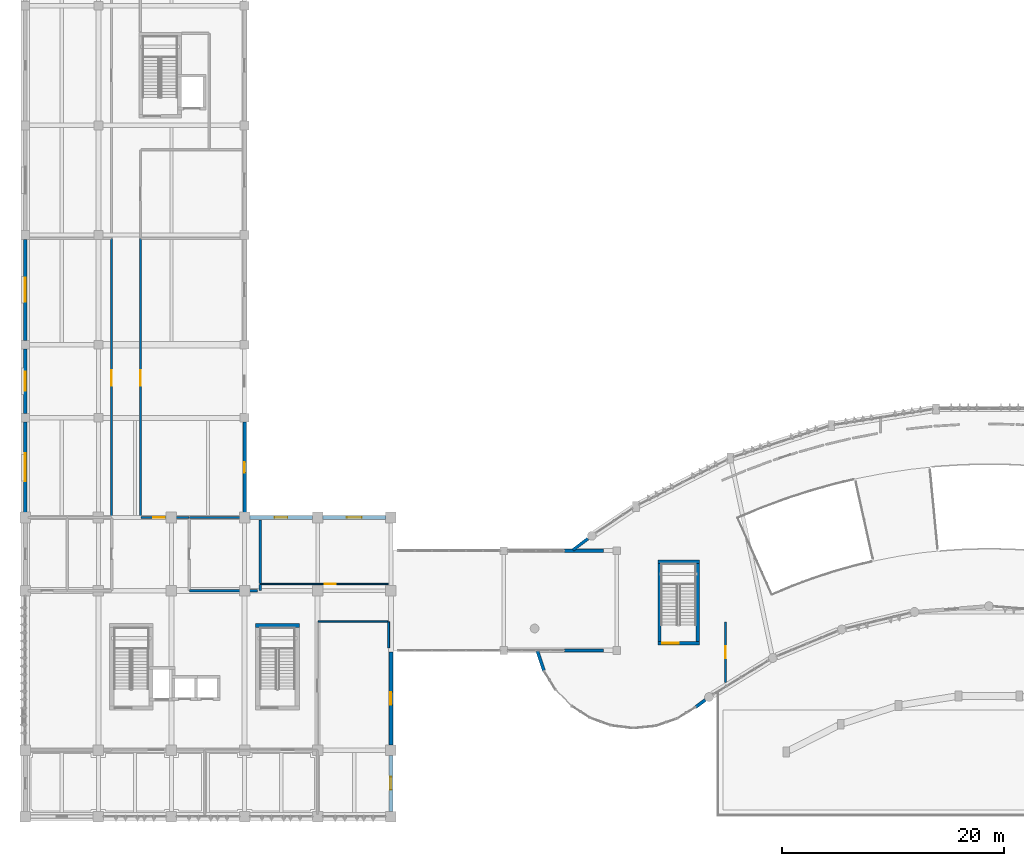
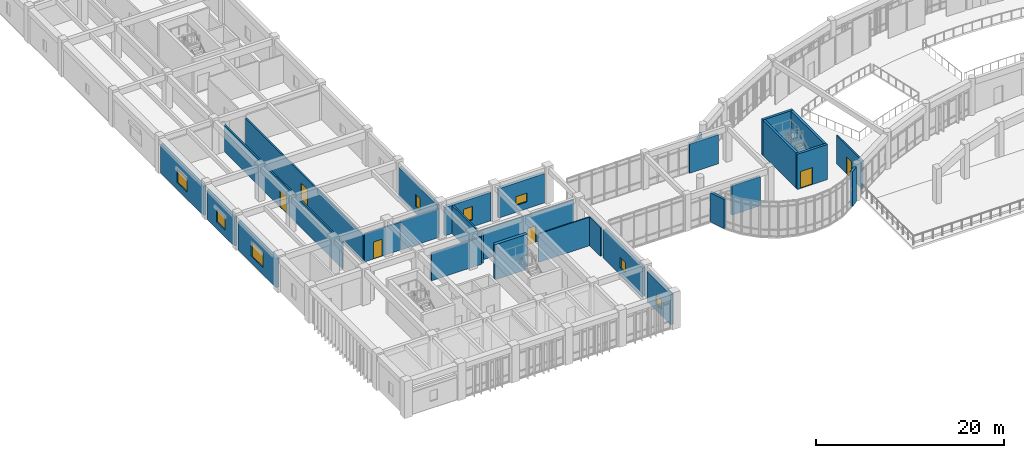
# One storey, part 48 of 65: 29 walls, 8 windows, 6 doors, 14 openings.
"""IFC4 building model written with IfcOpenShell, lengths in metres."""

from ifc_helpers import new_model, si_unit, direction, frame, frame_2d, origin, place, context, subcontext, project, spatial, rectangle, extrude, material, layer, layer_set, type_object, element, fill, save


model = new_model("IFC4")

# Units and contexts
model_context = context("Model", 3, precision=1e-05, world=origin(), true_north=direction((0.0, 1.0)))
body_context = subcontext(model_context, "Body", "Model", "MODEL_VIEW")
ifc_project = project(units=[si_unit("LENGTHUNIT", "METRE"), si_unit("AREAUNIT", "SQUARE_METRE"), si_unit("VOLUMEUNIT", "CUBIC_METRE"), si_unit("PLANEANGLEUNIT", "RADIAN"), si_unit("MASSUNIT", "GRAM", prefix="KILO")], contexts=[model_context])

# Site, building, storey
site_placement = place(None, origin())
site = spatial("IfcSite", under=ifc_project, at=site_placement, CompositionType="ELEMENT")
building_placement = place(site_placement, origin())
building = spatial("IfcBuilding", under=site, at=building_placement, Name="Miralva Faculty of Natural Sciences", CompositionType="ELEMENT")
storey_placement = place(building_placement, frame((0.0, 0.0, 10.199951171875)))
storey = spatial("IfcBuildingStorey", under=building, at=storey_placement, Name="L02", CompositionType="ELEMENT", Elevation=10.199951171875)

# Wall
ifc_material_1 = material(Name="Concrete C50/60", Category="concrete")
ifc_layer_1 = layer(ifc_material_1, 0.39990234375, Name="WL-CW01")
ifc_layer_set_1 = layer_set([ifc_layer_1], Name="Concrete C50/60")
wall_type_1 = type_object("IfcWallType", Name="WL-CW01", PredefinedType="SHEAR", material=ifc_layer_set_1)
wall_1_placement = place(storey_placement, frame((23.800048828125, 20.25, 0.0), z_axis=(0.0, 0.0, 1.0), x_axis=(1.0, 0.0, 0.0)))
element("IfcWall", 1, at=wall_1_placement, inside=storey, type_object=wall_type_1, Name="Core C1B shear wall north L02", PredefinedType="SHEAR", context=body_context, shape_type="SweptSolid", body=[
    extrude(rectangle(XDim=3.949951171875, YDim=0.39990234375, at=frame_2d((1.97509765625, 0.0))), origin(), (0.0, 0.0, 1.0), 4.580078125),
])

# Wall, opening, door
ifc_material_2 = material(Name="Concrete C40/50", Category="concrete")
ifc_layer_2 = layer(ifc_material_2, 0.300048828125, Name="WL-CW03")
ifc_layer_set_2 = layer_set([ifc_layer_2], Name="Concrete C40/50")
wall_type_2 = type_object("IfcWallType", Name="WL-CW03", PredefinedType="SHEAR", material=ifc_layer_set_2)
wall_2_placement = place(storey_placement, frame((60.10009765625, 18.64990234375, 0.0), z_axis=(0.0, 0.0, 1.0), x_axis=(1.0, 0.0, 0.0)))
wall_2 = element("IfcWall", 2, at=wall_2_placement, inside=storey, type_object=wall_type_2, Name="Core C6 shear wall south L02", PredefinedType="SHEAR", context=body_context, shape_type="SweptSolid", body=[
    extrude(rectangle(XDim=3.75, YDim=0.300048828125, at=frame_2d((1.875, 0.0))), origin(), (0.0, 0.0, 1.0), 4.580078125),
])
opening_1_placement = place(wall_2_placement, frame((0.39990234375, 0.0, 0.0)))
opening_1 = element("IfcOpeningElement", 3, at=opening_1_placement, cuts=wall_2, Name="Opening D-11", PredefinedType="OPENING", context=body_context, shape_type="SweptSolid", body=[
    extrude(rectangle(XDim=1.5, YDim=2.199951171875, at=frame_2d((0.75, 1.10009765625))), frame((0.0, 0.159912109375, 0.0), z_axis=(0.0, -1.0, 0.0), x_axis=(1.0, 0.0, 0.0)), (0.0, 0.0, 1.0), 0.320068359375),
])
ifc_material_3 = material(Name="Galvanised steel", Category="steel")
door_type_1 = type_object("IfcDoorType", Name="DR-DI11", OperationType="DOUBLE_DOOR_SINGLE_SWING", PredefinedType="DOOR", material=ifc_material_3)
door_1_placement = place(opening_1_placement, frame((1.5, 0.0, 0.0), z_axis=(0.0, 0.0, 1.0), x_axis=(-1.0, 0.0, 0.0)))
door_1 = element("IfcDoor", 4, at=door_1_placement, inside=storey, type_object=door_type_1, Name="Protected exit stair door Core C6 L02", OperationType="DOUBLE_DOOR_SINGLE_SWING", OverallHeight=2.199951171875, OverallWidth=1.5, PredefinedType="DOOR", context=body_context, shape_type="SweptSolid", body=[
    extrude(rectangle(XDim=1.5, YDim=2.199951171875, at=frame_2d((0.75, 1.10009765625))), frame((0.0, 0.02490234375, 0.0), z_axis=(0.0, -1.0, 0.0), x_axis=(1.0, 0.0, 0.0)), (0.0, 0.0, 1.0), 0.050048828125),
])
fill(opening_1, door_1)

# Walls
wall_3_placement = place(storey_placement, frame((60.10009765625, 26.0, 0.0), z_axis=(0.0, 0.0, 1.0), x_axis=(1.0, 0.0, 0.0)))
element("IfcWall", 5, at=wall_3_placement, inside=storey, type_object=wall_type_2, Name="Core C6 shear wall north L02", PredefinedType="SHEAR", context=body_context, shape_type="SweptSolid", body=[
    extrude(rectangle(XDim=3.75, YDim=0.300048828125, at=frame_2d((1.875, 0.0))), origin(), (0.0, 0.0, 1.0), 4.580078125),
])
for number, where, z_axis, x_axis, name in (
    (6, (60.25, 18.800048828125, 0.0), (0.0, 0.0, 1.0), (0.0, 1.0, 0.0), "Core C6 shear wall west L02"),
    (7, (63.699951171875, 18.800048828125, 0.0), (0.0, 0.0, 1.0), (0.0, 1.0, 0.0), "Core C6 shear wall east L02"),
):
    element("IfcWall", number, at=place(storey_placement, frame(where, z_axis=z_axis, x_axis=x_axis)), inside=storey, type_object=wall_type_2, Name=name, PredefinedType="SHEAR", context=body_context, shape_type="SweptSolid", body=[
        extrude(rectangle(XDim=7.050048828125, YDim=0.300048828125, at=frame_2d((3.52490234375, 0.0))), origin(), (0.0, 0.0, 1.0), 4.580078125),
    ])
ifc_material_4 = material(Name="Gypsum plasterboard")
ifc_layer_3 = layer(ifc_material_4, 0.179931640625, Name="WL-PT02")
ifc_layer_set_3 = layer_set([ifc_layer_3], Name="Gypsum plasterboard")
wall_type_3 = type_object("IfcWallType", Name="WL-PT02", PredefinedType="PARTITIONING", material=ifc_layer_set_3)
wall_4_placement = place(storey_placement, frame((35.800048828125, 18.22998046875, 0.0), z_axis=(0.0, 0.0, 1.0), x_axis=(0.0, 1.0, 0.0)))
element("IfcWall", 8, at=wall_4_placement, inside=storey, type_object=wall_type_3, Name="Interior partition PT-02 L02-249", PredefinedType="PARTITIONING", context=body_context, shape_type="SweptSolid", body=[
    extrude(rectangle(XDim=2.340087890625, YDim=0.179931640625, at=frame_2d((1.169921875, 0.0))), origin(), (0.0, 0.0, 1.0), 3.72509765625),
])

# Wall, opening, door
wall_5_placement = place(storey_placement, frame((13.429931640625, 30.0, 0.0), z_axis=(0.0, 0.0, 1.0), x_axis=(1.0, 0.0, 0.0)))
wall_5 = element("IfcWall", 9, at=wall_5_placement, inside=storey, type_object=wall_type_3, Name="Interior partition PT-02 L02-262", PredefinedType="PARTITIONING", context=body_context, shape_type="SweptSolid", body=[
    extrude(rectangle(XDim=4.340087890625, YDim=0.179931640625, at=frame_2d((2.169921875, 0.0))), origin(), (0.0, 0.0, 1.0), 3.655029296875),
])
opening_2_placement = place(wall_5_placement, frame((1.10498046875, 0.0, 0.0)))
opening_2 = element("IfcOpeningElement", 10, at=opening_2_placement, cuts=wall_5, Name="Opening D-15", PredefinedType="OPENING", context=body_context, shape_type="SweptSolid", body=[
    extrude(rectangle(XDim=1.050048828125, YDim=2.199951171875, at=frame_2d((0.52490234375, 1.10009765625))), frame((0.0, 0.099853515625, 0.0), z_axis=(0.0, -1.0, 0.0), x_axis=(1.0, 0.0, 0.0)), (0.0, 0.0, 1.0), 0.199951171875),
])
door_type_2 = type_object("IfcDoorType", Name="DR-DI15", OperationType="NOTDEFINED", PredefinedType="DOOR", material=ifc_material_3)
door_2_placement = place(opening_2_placement, origin())
door_2 = element("IfcDoor", 11, at=door_2_placement, inside=storey, type_object=door_type_2, Name="Interior door D-15 L02-99", OperationType="SINGLE_SWING_RIGHT", OverallHeight=2.199951171875, OverallWidth=1.050048828125, PredefinedType="DOOR", context=body_context, shape_type="SweptSolid", body=[
    extrude(rectangle(XDim=1.050048828125, YDim=2.199951171875, at=frame_2d((0.52490234375, 1.10009765625))), frame((0.0, 0.02490234375, 0.0), z_axis=(0.0, -1.0, 0.0), x_axis=(1.0, 0.0, 0.0)), (0.0, 0.0, 1.0), 0.050048828125),
])
fill(opening_2, door_2)

wall_6_placement = place(storey_placement, frame((66.199951171875, 15.104736328125, 0.0), z_axis=(0.0, 0.0, 1.0), x_axis=(0.0, 1.0, 0.0)))
wall_6 = element("IfcWall", 12, at=wall_6_placement, inside=storey, type_object=wall_type_3, Name="Interior partition PT-02 L02-283", PredefinedType="PARTITIONING", context=body_context, shape_type="SweptSolid", body=[
    extrude(rectangle(XDim=5.46533203125, YDim=0.179931640625, at=frame_2d((2.732666015625, 0.0))), origin(), (0.0, 0.0, 1.0), 3.705078125),
])
opening_3_placement = place(wall_6_placement, frame((2.20751953125, 0.0, 0.0)))
opening_3 = element("IfcOpeningElement", 13, at=opening_3_placement, cuts=wall_6, Name="Opening D-15", PredefinedType="OPENING", context=body_context, shape_type="SweptSolid", body=[
    extrude(rectangle(XDim=1.050048828125, YDim=2.199951171875, at=frame_2d((0.52490234375, 1.10009765625))), frame((0.0, 0.099853515625, 0.0), z_axis=(0.0, -1.0, 0.0), x_axis=(1.0, 0.0, 0.0)), (0.0, 0.0, 1.0), 0.199951171875),
])
door_3_placement = place(opening_3_placement, origin())
door_3 = element("IfcDoor", 14, at=door_3_placement, inside=storey, type_object=door_type_2, Name="Interior door D-15 L02-101", OperationType="SINGLE_SWING_RIGHT", OverallHeight=2.199951171875, OverallWidth=1.050048828125, PredefinedType="DOOR", context=body_context, shape_type="SweptSolid", body=[
    extrude(rectangle(XDim=1.050048828125, YDim=2.199951171875, at=frame_2d((0.52490234375, 1.10009765625))), frame((0.0, 0.02490234375, 0.0), z_axis=(0.0, -1.0, 0.0), x_axis=(1.0, 0.0, 0.0)), (0.0, 0.0, 1.0), 0.050048828125),
])
fill(opening_3, door_3)

wall_7_placement = place(storey_placement, frame((10.800048828125, 30.030029296875, 0.0), z_axis=(0.0, 0.0, 1.0), x_axis=(0.0, 1.0, 0.0)))
wall_7 = element("IfcWall", 15, at=wall_7_placement, inside=storey, type_object=wall_type_3, Name="Interior partition PT-02 L02-305", PredefinedType="PARTITIONING", context=body_context, shape_type="SweptSolid", body=[
    extrude(rectangle(XDim=25.139892578125, YDim=0.179931640625, at=frame_2d((12.56982421875, 0.0))), origin(), (0.0, 0.0, 1.0), 3.455078125),
])
opening_4_placement = place(wall_7_placement, frame((11.8701171875, 0.0, 0.0)))
opening_4 = element("IfcOpeningElement", 16, at=opening_4_placement, cuts=wall_7, Name="Opening D-14", PredefinedType="OPENING", context=body_context, shape_type="SweptSolid", body=[
    extrude(rectangle(XDim=1.39990234375, YDim=2.199951171875, at=frame_2d((0.699951171875, 1.10009765625))), frame((0.0, 0.099853515625, 0.0), z_axis=(0.0, -1.0, 0.0), x_axis=(1.0, 0.0, 0.0)), (0.0, 0.0, 1.0), 0.199951171875),
])
door_type_3 = type_object("IfcDoorType", Name="DR-DI14", OperationType="DOUBLE_DOOR_SINGLE_SWING", PredefinedType="DOOR", material=ifc_material_3)
door_4_placement = place(opening_4_placement, origin())
door_4 = element("IfcDoor", 17, at=door_4_placement, inside=storey, type_object=door_type_3, Name="Interior door D-14 L02-113", OperationType="DOUBLE_DOOR_SINGLE_SWING", OverallHeight=2.199951171875, OverallWidth=1.39990234375, PredefinedType="DOOR", context=body_context, shape_type="SweptSolid", body=[
    extrude(rectangle(XDim=1.39990234375, YDim=2.199951171875, at=frame_2d((0.699951171875, 1.10009765625))), frame((0.0, 0.02490234375, 0.0), z_axis=(0.0, -1.0, 0.0), x_axis=(1.0, 0.0, 0.0)), (0.0, 0.0, 1.0), 0.050048828125),
])
fill(opening_4, door_4)

wall_8_placement = place(storey_placement, frame((13.39990234375, 30.030029296875, 0.0), z_axis=(0.0, 0.0, 1.0), x_axis=(0.0, 1.0, 0.0)))
wall_8 = element("IfcWall", 18, at=wall_8_placement, inside=storey, type_object=wall_type_3, Name="Interior partition PT-02 L02-307", PredefinedType="PARTITIONING", context=body_context, shape_type="SweptSolid", body=[
    extrude(rectangle(XDim=25.139892578125, YDim=0.179931640625, at=frame_2d((12.56982421875, 0.0))), origin(), (0.0, 0.0, 1.0), 3.455078125),
])
opening_5_placement = place(wall_8_placement, frame((11.8701171875, 0.0, 0.0)))
opening_5 = element("IfcOpeningElement", 19, at=opening_5_placement, cuts=wall_8, Name="Opening D-14", PredefinedType="OPENING", context=body_context, shape_type="SweptSolid", body=[
    extrude(rectangle(XDim=1.39990234375, YDim=2.199951171875, at=frame_2d((0.699951171875, 1.10009765625))), frame((0.0, 0.099853515625, 0.0), z_axis=(0.0, -1.0, 0.0), x_axis=(1.0, 0.0, 0.0)), (0.0, 0.0, 1.0), 0.199951171875),
])
door_5_placement = place(opening_5_placement, origin())
door_5 = element("IfcDoor", 20, at=door_5_placement, inside=storey, type_object=door_type_3, Name="Interior door D-14 L02-114", OperationType="DOUBLE_DOOR_SINGLE_SWING", OverallHeight=2.199951171875, OverallWidth=1.39990234375, PredefinedType="DOOR", context=body_context, shape_type="SweptSolid", body=[
    extrude(rectangle(XDim=1.39990234375, YDim=2.199951171875, at=frame_2d((0.699951171875, 1.10009765625))), frame((0.0, 0.02490234375, 0.0), z_axis=(0.0, -1.0, 0.0), x_axis=(1.0, 0.0, 0.0)), (0.0, 0.0, 1.0), 0.050048828125),
])
fill(opening_5, door_5)

# Wall
ifc_layer_4 = layer(ifc_material_4, 0.125, Name="WL-PT05")
ifc_layer_set_4 = layer_set([ifc_layer_4], Name="Gypsum plasterboard")
wall_type_4 = type_object("IfcWallType", Name="WL-PT05", PredefinedType="PARTITIONING", material=ifc_layer_set_4)
wall_9_placement = place(storey_placement, frame((29.429931640625, 20.60009765625, 0.0), z_axis=(0.0, 0.0, 1.0), x_axis=(1.0, 0.0, 0.0)))
element("IfcWall", 21, at=wall_9_placement, inside=storey, type_object=wall_type_4, Name="Interior partition PT-05 L02-248", PredefinedType="PARTITIONING", context=body_context, shape_type="SweptSolid", body=[
    extrude(rectangle(XDim=6.340087890625, YDim=0.125, at=frame_2d((3.169921875, 0.0))), origin(), (0.0, 0.0, 1.0), 3.72509765625),
])

# Wall, opening, door
wall_10_placement = place(storey_placement, frame((24.22998046875, 24.0, 0.0), z_axis=(0.0, 0.0, 1.0), x_axis=(1.0, 0.0, 0.0)))
wall_10 = element("IfcWall", 22, at=wall_10_placement, inside=storey, type_object=wall_type_4, Name="Interior partition PT-05 L02-261", PredefinedType="PARTITIONING", context=body_context, shape_type="SweptSolid", body=[
    extrude(rectangle(XDim=11.5400390625, YDim=0.125, at=frame_2d((5.77001953125, 0.0))), origin(), (0.0, 0.0, 1.0), 3.905029296875),
])
opening_6_placement = place(wall_10_placement, frame((5.81005859375, 0.0, 0.0)))
opening_6 = element("IfcOpeningElement", 23, at=opening_6_placement, cuts=wall_10, Name="Opening D-25", PredefinedType="OPENING", context=body_context, shape_type="SweptSolid", body=[
    extrude(rectangle(XDim=1.0, YDim=2.14990234375, at=frame_2d((0.5, 1.074951171875))), frame((0.0, 0.072509765625, 0.0), z_axis=(0.0, -1.0, 0.0), x_axis=(1.0, 0.0, 0.0)), (0.0, 0.0, 1.0), 0.14501953125),
])
ifc_material_5 = material(Name="Anodised aluminium", Category="aluminium")
door_type_4 = type_object("IfcDoorType", Name="DR-DI25", OperationType="NOTDEFINED", PredefinedType="DOOR", material=ifc_material_5)
door_6_placement = place(opening_6_placement, origin())
door_6 = element("IfcDoor", 24, at=door_6_placement, inside=storey, type_object=door_type_4, Name="Interior door D-25 L02-98", OperationType="SINGLE_SWING_LEFT", OverallHeight=2.14990234375, OverallWidth=1.0, PredefinedType="DOOR", context=body_context, shape_type="SweptSolid", body=[
    extrude(rectangle(XDim=1.0, YDim=2.14990234375, at=frame_2d((0.5, 1.074951171875))), frame((0.0, 0.02490234375, 0.0), z_axis=(0.0, -1.0, 0.0), x_axis=(1.0, 0.0, 0.0)), (0.0, 0.0, 1.0), 0.050048828125),
])
fill(opening_6, door_6)

# Walls
ifc_layer_5 = layer(ifc_material_4, 0.2099609375, Name="WL-PT06")
ifc_layer_set_5 = layer_set([ifc_layer_5], Name="Gypsum plasterboard")
wall_type_5 = type_object("IfcWallType", Name="WL-PT06", PredefinedType="PLUMBINGWALL", material=ifc_layer_set_5)
wall_11_placement = place(storey_placement, frame((24.199951171875, 24.030029296875, 0.0), z_axis=(0.0, 0.0, 1.0), x_axis=(0.0, 1.0, 0.0)))
element("IfcWall", 25, at=wall_11_placement, inside=storey, type_object=wall_type_5, Name="Interior partition PT-06 L02-256", PredefinedType="PLUMBINGWALL", context=body_context, shape_type="SweptSolid", body=[
    extrude(rectangle(XDim=5.739990234375, YDim=0.2099609375, at=frame_2d((2.8701171875, 0.0))), origin(), (0.0, 0.0, 1.0), 3.695068359375),
])
wall_12_placement = place(storey_placement, frame((24.199951171875, 23.429931640625, 0.0), z_axis=(0.0, 0.0, 1.0), x_axis=(0.0, 1.0, 0.0)))
element("IfcWall", 26, at=wall_12_placement, inside=storey, type_object=wall_type_5, Name="Interior partition PT-06 L02-257", PredefinedType="PLUMBINGWALL", context=body_context, shape_type="SweptSolid", body=[
    extrude(rectangle(XDim=0.5400390625, YDim=0.2099609375, at=frame_2d((0.27001953125, 0.0))), origin(), (0.0, 0.0, 1.0), 3.824951171875),
])
wall_13_placement = place(storey_placement, frame((17.830078125, 23.39990234375, 0.0), z_axis=(0.0, 0.0, 1.0), x_axis=(1.0, 0.0, 0.0)))
element("IfcWall", 27, at=wall_13_placement, inside=storey, type_object=wall_type_5, Name="Interior partition PT-06 L02-259", PredefinedType="PLUMBINGWALL", context=body_context, shape_type="SweptSolid", body=[
    extrude(rectangle(XDim=6.139892578125, YDim=0.2099609375, at=frame_2d((3.06982421875, 0.0))), origin(), (0.0, 0.0, 1.0), 3.554931640625),
])
wall_14_placement = place(storey_placement, frame((17.830078125, 30.0, 0.0), z_axis=(0.0, 0.0, 1.0), x_axis=(1.0, 0.0, 0.0)))
element("IfcWall", 28, at=wall_14_placement, inside=storey, type_object=wall_type_5, Name="Interior partition PT-06 L02-260", PredefinedType="PLUMBINGWALL", context=body_context, shape_type="SweptSolid", body=[
    extrude(rectangle(XDim=4.739990234375, YDim=0.2099609375, at=frame_2d((2.3701171875, 0.0))), origin(), (0.0, 0.0, 1.0), 3.72509765625),
])

# Wall, opening, window
ifc_material_6 = material(Name="Volcanic tuff architectural stone", Category="masonry")
ifc_layer_6 = layer(ifc_material_6, 0.360107421875, Name="WL-WT01")
ifc_layer_set_6 = layer_set([ifc_layer_6], Name="Volcanic tuff architectural stone")
wall_type_6 = type_object("IfcWallType", Name="WL-WT01", PredefinedType="SOLIDWALL", material=ifc_layer_set_6)
wall_15_placement = place(storey_placement, frame((36.0, 3.465087890625, 0.0), z_axis=(0.0, 0.0, 1.0), x_axis=(0.0, 1.0, 0.0)))
wall_15 = element("IfcWall", 29, at=wall_15_placement, inside=storey, type_object=wall_type_6, Name="Exterior wall L02-80", PredefinedType="SOLIDWALL", context=body_context, shape_type="SweptSolid", body=[
    extrude(rectangle(XDim=5.06982421875, YDim=0.360107421875, at=frame_2d((2.534912109375, 0.0))), origin(), (0.0, 0.0, 1.0), 3.925048828125),
])
opening_7_placement = place(wall_15_placement, frame((1.9599609375, 0.0, 0.89990234375)))
opening_7 = element("IfcOpeningElement", 30, at=opening_7_placement, cuts=wall_15, Name="Opening W-49", PredefinedType="OPENING", context=body_context, shape_type="SweptSolid", body=[
    extrude(rectangle(XDim=1.14990234375, YDim=1.14990234375, at=frame_2d((0.574951171875, 0.574951171875))), frame((0.0, 0.18994140625, 0.0), z_axis=(0.0, -1.0, 0.0), x_axis=(1.0, 0.0, 0.0)), (0.0, 0.0, 1.0), 0.380126953125),
])
ifc_material_7 = material(Name="Laminated solar-control glass", Category="glass")
window_type_1 = type_object("IfcWindowType", Name="WN-W49", PartitioningType="DOUBLE_PANEL_VERTICAL", PredefinedType="WINDOW", material=ifc_material_7)
window_1_placement = place(opening_7_placement, frame((1.14990234375, 0.0, 0.0), z_axis=(0.0, 0.0, 1.0), x_axis=(-1.0, 0.0, 0.0)))
window_1 = element("IfcWindow", 31, at=window_1_placement, inside=storey, type_object=window_type_1, Name="Window W-49 L02-26", OverallHeight=1.14990234375, OverallWidth=1.14990234375, PartitioningType="DOUBLE_PANEL_VERTICAL", PredefinedType="WINDOW", context=body_context, shape_type="SweptSolid", body=[
    extrude(rectangle(XDim=1.14990234375, YDim=1.14990234375, at=frame_2d((0.574951171875, 0.574951171875))), frame((0.0, 0.030029296875, 0.0), z_axis=(0.0, -1.0, 0.0), x_axis=(1.0, 0.0, 0.0)), (0.0, 0.0, 1.0), 0.06005859375),
])
fill(opening_7, window_1)

wall_16_placement = place(storey_placement, frame((36.0, 9.465087890625, 0.0), z_axis=(0.0, 0.0, 1.0), x_axis=(0.0, 1.0, 0.0)))
wall_16 = element("IfcWall", 32, at=wall_16_placement, inside=storey, type_object=wall_type_6, Name="Exterior wall L02-81", PredefinedType="SOLIDWALL", context=body_context, shape_type="SweptSolid", body=[
    extrude(rectangle(XDim=8.385009765625, YDim=0.360107421875, at=frame_2d((4.1923828125, 0.0))), origin(), (0.0, 0.0, 1.0), 3.72509765625),
])
opening_8_placement = place(wall_16_placement, frame((3.617431640625, 0.0, 0.89990234375)))
opening_8 = element("IfcOpeningElement", 33, at=opening_8_placement, cuts=wall_16, Name="Opening W-50", PredefinedType="OPENING", context=body_context, shape_type="SweptSolid", body=[
    extrude(rectangle(XDim=1.14990234375, YDim=1.35009765625, at=frame_2d((0.574951171875, 0.675048828125))), frame((0.0, 0.18994140625, 0.0), z_axis=(0.0, -1.0, 0.0), x_axis=(1.0, 0.0, 0.0)), (0.0, 0.0, 1.0), 0.380126953125),
])
window_type_2 = type_object("IfcWindowType", Name="WN-W50", PartitioningType="DOUBLE_PANEL_VERTICAL", PredefinedType="WINDOW", material=ifc_material_7)
window_2_placement = place(opening_8_placement, frame((1.14990234375, 0.0, 0.0), z_axis=(0.0, 0.0, 1.0), x_axis=(-1.0, 0.0, 0.0)))
window_2 = element("IfcWindow", 34, at=window_2_placement, inside=storey, type_object=window_type_2, Name="Window W-50 L02-27", OverallHeight=1.35009765625, OverallWidth=1.14990234375, PartitioningType="DOUBLE_PANEL_VERTICAL", PredefinedType="WINDOW", context=body_context, shape_type="SweptSolid", body=[
    extrude(rectangle(XDim=1.14990234375, YDim=1.35009765625, at=frame_2d((0.574951171875, 0.675048828125))), frame((0.0, 0.030029296875, 0.0), z_axis=(0.0, -1.0, 0.0), x_axis=(1.0, 0.0, 0.0)), (0.0, 0.0, 1.0), 0.06005859375),
])
fill(opening_8, window_2)

wall_17_placement = place(storey_placement, frame((23.2548828125, 30.0, 0.0), z_axis=(0.0, 0.0, 1.0), x_axis=(1.0, 0.0, 0.0)))
wall_17 = element("IfcWall", 35, at=wall_17_placement, inside=storey, type_object=wall_type_6, Name="Exterior wall L02-82", PredefinedType="SOLIDWALL", context=body_context, shape_type="SweptSolid", body=[
    extrude(rectangle(XDim=5.68017578125, YDim=0.360107421875, at=frame_2d((2.840087890625, 0.0))), origin(), (0.0, 0.0, 1.0), 3.695068359375),
])
opening_9_placement = place(wall_17_placement, frame((2.264892578125, 0.0, 0.89990234375)))
opening_9 = element("IfcOpeningElement", 36, at=opening_9_placement, cuts=wall_17, Name="Opening W-52", PredefinedType="OPENING", context=body_context, shape_type="SweptSolid", body=[
    extrude(rectangle(XDim=1.14990234375, YDim=1.75, at=frame_2d((0.574951171875, 0.875))), frame((0.0, 0.18994140625, 0.0), z_axis=(0.0, -1.0, 0.0), x_axis=(1.0, 0.0, 0.0)), (0.0, 0.0, 1.0), 0.380126953125),
])
window_type_3 = type_object("IfcWindowType", Name="WN-W52", PartitioningType="DOUBLE_PANEL_VERTICAL", PredefinedType="WINDOW", material=ifc_material_7)
window_3_placement = place(opening_9_placement, origin())
window_3 = element("IfcWindow", 37, at=window_3_placement, inside=storey, type_object=window_type_3, Name="Window W-52 L02-28", OverallHeight=1.75, OverallWidth=1.14990234375, PartitioningType="DOUBLE_PANEL_VERTICAL", PredefinedType="WINDOW", context=body_context, shape_type="SweptSolid", body=[
    extrude(rectangle(XDim=1.14990234375, YDim=1.75, at=frame_2d((0.574951171875, 0.875))), frame((0.0, 0.030029296875, 0.0), z_axis=(0.0, -1.0, 0.0), x_axis=(1.0, 0.0, 0.0)), (0.0, 0.0, 1.0), 0.06005859375),
])
fill(opening_9, window_3)

wall_18_placement = place(storey_placement, frame((29.85498046875, 30.0, 0.0), z_axis=(0.0, 0.0, 1.0), x_axis=(1.0, 0.0, 0.0)))
wall_18 = element("IfcWall", 38, at=wall_18_placement, inside=storey, type_object=wall_type_6, Name="Exterior wall L02-83", PredefinedType="SOLIDWALL", context=body_context, shape_type="SweptSolid", body=[
    extrude(rectangle(XDim=5.68994140625, YDim=0.360107421875, at=frame_2d((2.844970703125, 0.0))), origin(), (0.0, 0.0, 1.0), 3.824951171875),
])
opening_10_placement = place(wall_18_placement, frame((2.169921875, 0.0, 0.89990234375)))
opening_10 = element("IfcOpeningElement", 39, at=opening_10_placement, cuts=wall_18, Name="Opening W-53", PredefinedType="OPENING", context=body_context, shape_type="SweptSolid", body=[
    extrude(rectangle(XDim=1.35009765625, YDim=1.14990234375, at=frame_2d((0.675048828125, 0.574951171875))), frame((0.0, 0.18994140625, 0.0), z_axis=(0.0, -1.0, 0.0), x_axis=(1.0, 0.0, 0.0)), (0.0, 0.0, 1.0), 0.380126953125),
])
window_type_4 = type_object("IfcWindowType", Name="WN-W53", PartitioningType="DOUBLE_PANEL_VERTICAL", PredefinedType="WINDOW", material=ifc_material_7)
window_4_placement = place(opening_10_placement, origin())
window_4 = element("IfcWindow", 40, at=window_4_placement, inside=storey, type_object=window_type_4, Name="Window W-53 L02-29", OverallHeight=1.14990234375, OverallWidth=1.35009765625, PartitioningType="DOUBLE_PANEL_VERTICAL", PredefinedType="WINDOW", context=body_context, shape_type="SweptSolid", body=[
    extrude(rectangle(XDim=1.35009765625, YDim=1.14990234375, at=frame_2d((0.675048828125, 0.574951171875))), frame((0.0, 0.030029296875, 0.0), z_axis=(0.0, -1.0, 0.0), x_axis=(1.0, 0.0, 0.0)), (0.0, 0.0, 1.0), 0.06005859375),
])
fill(opening_10, window_4)

ifc_material_8 = material(Name="Precast concrete C40/50", Category="concrete")
ifc_layer_7 = layer(ifc_material_8, 0.320068359375, Name="WL-WT02")
ifc_layer_set_7 = layer_set([ifc_layer_7], Name="Precast concrete C40/50")
wall_type_7 = type_object("IfcWallType", Name="WL-WT02", PredefinedType="SOLIDWALL", material=ifc_layer_set_7)
wall_19_placement = place(storey_placement, frame((3.0, 30.455078125, 0.0), z_axis=(0.0, 0.0, 1.0), x_axis=(0.0, 1.0, 0.0)))
wall_19 = element("IfcWall", 41, at=wall_19_placement, inside=storey, type_object=wall_type_7, Name="Exterior wall L02-212", PredefinedType="SOLIDWALL", context=body_context, shape_type="SweptSolid", body=[
    extrude(rectangle(XDim=8.159912109375, YDim=0.320068359375, at=frame_2d((4.080078125, 0.0))), origin(), (0.0, 0.0, 1.0), 3.775146484375),
])
opening_11_placement = place(wall_19_placement, frame((2.830078125, 0.0, 0.89990234375)))
opening_11 = element("IfcOpeningElement", 42, at=opening_11_placement, cuts=wall_19, Name="Opening W-31", PredefinedType="OPENING", context=body_context, shape_type="SweptSolid", body=[
    extrude(rectangle(XDim=2.5, YDim=1.949951171875, at=frame_2d((1.25, 0.97509765625))), frame((0.0, 0.169921875, 0.0), z_axis=(0.0, -1.0, 0.0), x_axis=(1.0, 0.0, 0.0)), (0.0, 0.0, 1.0), 0.340087890625),
])
window_type_5 = type_object("IfcWindowType", Name="WN-W31", PartitioningType="DOUBLE_PANEL_VERTICAL", PredefinedType="WINDOW", material=ifc_material_7)
window_5_placement = place(opening_11_placement, origin())
window_5 = element("IfcWindow", 43, at=window_5_placement, inside=storey, type_object=window_type_5, Name="Window W-31 L02-149", OverallHeight=1.949951171875, OverallWidth=2.5, PartitioningType="DOUBLE_PANEL_VERTICAL", PredefinedType="WINDOW", context=body_context, shape_type="SweptSolid", body=[
    extrude(rectangle(XDim=2.5, YDim=1.949951171875, at=frame_2d((1.25, 0.97509765625))), frame((0.0, 0.030029296875, 0.0), z_axis=(0.0, -1.0, 0.0), x_axis=(1.0, 0.0, 0.0)), (0.0, 0.0, 1.0), 0.06005859375),
])
fill(opening_11, window_5)

wall_20_placement = place(storey_placement, frame((3.0, 39.385009765625, 0.0), z_axis=(0.0, 0.0, 1.0), x_axis=(0.0, 1.0, 0.0)))
wall_20 = element("IfcWall", 44, at=wall_20_placement, inside=storey, type_object=wall_type_7, Name="Exterior wall L02-213", PredefinedType="SOLIDWALL", context=body_context, shape_type="SweptSolid", body=[
    extrude(rectangle(XDim=5.830078125, YDim=0.320068359375, at=frame_2d((2.9150390625, 0.0))), origin(), (0.0, 0.0, 1.0), 3.775146484375),
])
opening_12_placement = place(wall_20_placement, frame((2.0400390625, 0.0, 0.89990234375)))
opening_12 = element("IfcOpeningElement", 45, at=opening_12_placement, cuts=wall_20, Name="Opening W-38", PredefinedType="OPENING", context=body_context, shape_type="SweptSolid", body=[
    extrude(rectangle(XDim=1.75, YDim=1.60009765625, at=frame_2d((0.875, 0.800048828125))), frame((0.0, 0.169921875, 0.0), z_axis=(0.0, -1.0, 0.0), x_axis=(1.0, 0.0, 0.0)), (0.0, 0.0, 1.0), 0.340087890625),
])
window_type_6 = type_object("IfcWindowType", Name="WN-W38", PartitioningType="DOUBLE_PANEL_VERTICAL", PredefinedType="WINDOW", material=ifc_material_7)
window_6_placement = place(opening_12_placement, origin())
window_6 = element("IfcWindow", 46, at=window_6_placement, inside=storey, type_object=window_type_6, Name="Window W-38 L02-150", OverallHeight=1.60009765625, OverallWidth=1.75, PartitioningType="DOUBLE_PANEL_VERTICAL", PredefinedType="WINDOW", context=body_context, shape_type="SweptSolid", body=[
    extrude(rectangle(XDim=1.75, YDim=1.60009765625, at=frame_2d((0.875, 0.800048828125))), frame((0.0, 0.030029296875, 0.0), z_axis=(0.0, -1.0, 0.0), x_axis=(1.0, 0.0, 0.0)), (0.0, 0.0, 1.0), 0.06005859375),
])
fill(opening_12, window_6)

wall_21_placement = place(storey_placement, frame((3.0, 45.985107421875, 0.0), z_axis=(0.0, 0.0, 1.0), x_axis=(0.0, 1.0, 0.0)))
wall_21 = element("IfcWall", 47, at=wall_21_placement, inside=storey, type_object=wall_type_7, Name="Exterior wall L02-214", PredefinedType="SOLIDWALL", context=body_context, shape_type="SweptSolid", body=[
    extrude(rectangle(XDim=9.1298828125, YDim=0.320068359375, at=frame_2d((4.56494140625, 0.0))), origin(), (0.0, 0.0, 1.0), 3.775146484375),
])
opening_13_placement = place(wall_21_placement, frame((3.489990234375, 0.0, 0.89990234375)))
opening_13 = element("IfcOpeningElement", 48, at=opening_13_placement, cuts=wall_21, Name="Opening W-39", PredefinedType="OPENING", context=body_context, shape_type="SweptSolid", body=[
    extrude(rectangle(XDim=2.14990234375, YDim=1.699951171875, at=frame_2d((1.074951171875, 0.85009765625))), frame((0.0, 0.169921875, 0.0), z_axis=(0.0, -1.0, 0.0), x_axis=(1.0, 0.0, 0.0)), (0.0, 0.0, 1.0), 0.340087890625),
])
window_type_7 = type_object("IfcWindowType", Name="WN-W39", PartitioningType="DOUBLE_PANEL_VERTICAL", PredefinedType="WINDOW", material=ifc_material_7)
window_7_placement = place(opening_13_placement, origin())
window_7 = element("IfcWindow", 49, at=window_7_placement, inside=storey, type_object=window_type_7, Name="Window W-39 L02-151", OverallHeight=1.699951171875, OverallWidth=2.14990234375, PartitioningType="DOUBLE_PANEL_VERTICAL", PredefinedType="WINDOW", context=body_context, shape_type="SweptSolid", body=[
    extrude(rectangle(XDim=2.14990234375, YDim=1.699951171875, at=frame_2d((1.074951171875, 0.85009765625))), frame((0.0, 0.030029296875, 0.0), z_axis=(0.0, -1.0, 0.0), x_axis=(1.0, 0.0, 0.0)), (0.0, 0.0, 1.0), 0.06005859375),
])
fill(opening_13, window_7)

wall_22_placement = place(storey_placement, frame((22.800048828125, 30.455078125, 0.0), z_axis=(0.0, 0.0, 1.0), x_axis=(0.0, 1.0, 0.0)))
wall_22 = element("IfcWall", 50, at=wall_22_placement, inside=storey, type_object=wall_type_7, Name="Exterior wall L02-222", PredefinedType="SOLIDWALL", context=body_context, shape_type="SweptSolid", body=[
    extrude(rectangle(XDim=8.159912109375, YDim=0.320068359375, at=frame_2d((4.080078125, 0.0))), origin(), (0.0, 0.0, 1.0), 3.824951171875),
])
opening_14_placement = place(wall_22_placement, frame((3.60498046875, 0.0, 0.89990234375)))
opening_14 = element("IfcOpeningElement", 51, at=opening_14_placement, cuts=wall_22, Name="Opening W-47", PredefinedType="OPENING", context=body_context, shape_type="SweptSolid", body=[
    extrude(rectangle(XDim=0.949951171875, YDim=1.550048828125, at=frame_2d((0.47509765625, 0.77490234375))), frame((0.0, 0.169921875, 0.0), z_axis=(0.0, -1.0, 0.0), x_axis=(1.0, 0.0, 0.0)), (0.0, 0.0, 1.0), 0.340087890625),
])
window_type_8 = type_object("IfcWindowType", Name="WN-W47", PartitioningType="DOUBLE_PANEL_VERTICAL", PredefinedType="WINDOW", material=ifc_material_7)
window_8_placement = place(opening_14_placement, frame((0.949951171875, 0.0, 0.0), z_axis=(0.0, 0.0, 1.0), x_axis=(-1.0, 0.0, 0.0)))
window_8 = element("IfcWindow", 52, at=window_8_placement, inside=storey, type_object=window_type_8, Name="Window W-47 L02-159", OverallHeight=1.550048828125, OverallWidth=0.949951171875, PartitioningType="DOUBLE_PANEL_VERTICAL", PredefinedType="WINDOW", context=body_context, shape_type="SweptSolid", body=[
    extrude(rectangle(XDim=0.949951171875, YDim=1.550048828125, at=frame_2d((0.47509765625, 0.77490234375))), frame((0.0, 0.030029296875, 0.0), z_axis=(0.0, -1.0, 0.0), x_axis=(1.0, 0.0, 0.0)), (0.0, 0.0, 1.0), 0.06005859375),
])
fill(opening_14, window_8)

# Walls
ifc_layer_8 = layer(ifc_material_8, 0.2900390625, Name="WL-WT03")
ifc_layer_set_8 = layer_set([ifc_layer_8], Name="Precast concrete C40/50")
wall_type_8 = type_object("IfcWallType", Name="WL-WT03", PredefinedType="SOLIDWALL", material=ifc_layer_set_8)
wall_23_placement = place(storey_placement, frame((63.526611328125, 12.884521484375, 0.0), z_axis=(0.0, 0.0, 1.0), x_axis=(0.798608971494, 0.601850239387, 0.0)))
element("IfcWall", 53, at=wall_23_placement, inside=storey, type_object=wall_type_8, Name="Exterior wall L02-31", PredefinedType="SOLIDWALL", context=body_context, shape_type="SweptSolid", body=[
    extrude(rectangle(XDim=1.07568359375, YDim=0.2900390625, at=frame_2d((0.537841796875, 0.0))), origin(), (0.0, 0.0, 1.0), 4.550048828125),
])
wall_24_placement = place(storey_placement, frame((49.191650390625, 18.0615234375, 0.0), z_axis=(0.0, 0.0, 1.0), x_axis=(0.32082801478, -0.947137468867, 0.0)))
element("IfcWall", 54, at=wall_24_placement, inside=storey, type_object=wall_type_8, Name="Exterior wall L02-37", PredefinedType="SOLIDWALL", context=body_context, shape_type="SweptSolid", body=[
    extrude(rectangle(XDim=2.020263671875, YDim=0.2900390625, at=frame_2d((1.01025390625, 0.0))), origin(), (0.0, 0.0, 1.0), 3.804931640625),
])
wall_25_placement = place(storey_placement, frame((51.675048828125, 18.0, 0.0), z_axis=(0.0, 0.0, 1.0), x_axis=(1.0, 0.0, 0.0)))
element("IfcWall", 55, at=wall_25_placement, inside=storey, type_object=wall_type_8, Name="Exterior wall L02-359", PredefinedType="SOLIDWALL", context=body_context, shape_type="SweptSolid", body=[
    extrude(rectangle(XDim=3.52490234375, YDim=0.2900390625, at=frame_2d((1.762451171875, 0.0))), origin(), (0.0, 0.0, 1.0), 3.804931640625),
])
wall_26_placement = place(storey_placement, frame((51.675048828125, 27.0, 0.0), z_axis=(0.0, 0.0, 1.0), x_axis=(1.0, 0.0, 0.0)))
element("IfcWall", 56, at=wall_26_placement, inside=storey, type_object=wall_type_8, Name="Exterior wall L02-361", PredefinedType="SOLIDWALL", context=body_context, shape_type="SweptSolid", body=[
    extrude(rectangle(XDim=3.52490234375, YDim=0.2900390625, at=frame_2d((1.762451171875, 0.0))), origin(), (0.0, 0.0, 1.0), 3.795166015625),
])
ifc_layer_9 = layer(ifc_material_6, 0.27001953125, Name="WL-WT04")
ifc_layer_set_9 = layer_set([ifc_layer_9], Name="Volcanic tuff architectural stone")
wall_type_9 = type_object("IfcWallType", Name="WL-WT04", PredefinedType="SOLIDWALL", material=ifc_layer_set_9)
wall_27_placement = place(storey_placement, frame((52.444580078125, 27.068603515625, 0.0), z_axis=(0.0, 0.0, 1.0), x_axis=(0.798641279354, 0.601807366947, 0.0)))
element("IfcWall", 57, at=wall_27_placement, inside=storey, type_object=wall_type_9, Name="Exterior wall L02-34", PredefinedType="SOLIDWALL", context=body_context, shape_type="SweptSolid", body=[
    extrude(rectangle(XDim=1.684326171875, YDim=0.27001953125, at=frame_2d((0.84228515625, 0.0))), origin(), (0.0, 0.0, 1.0), 3.795166015625),
])

save(model, "model.ifc")
